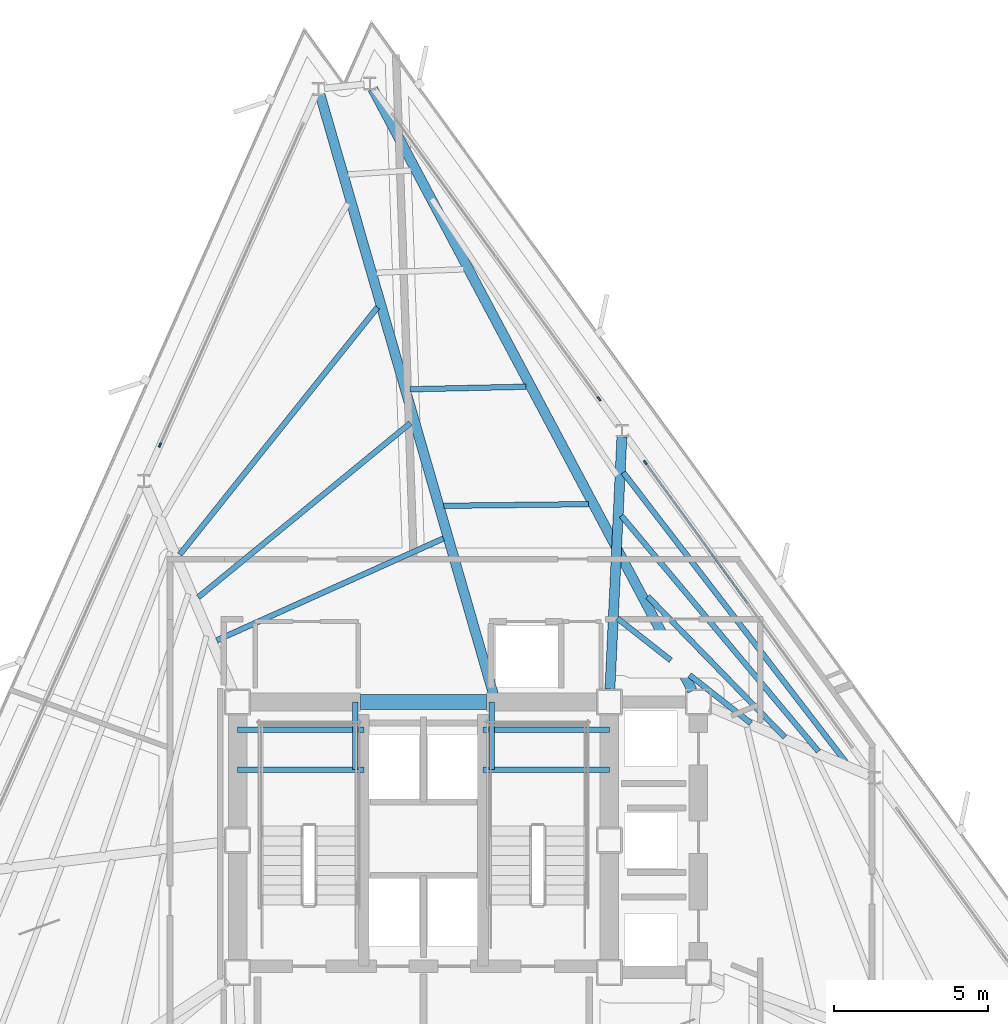
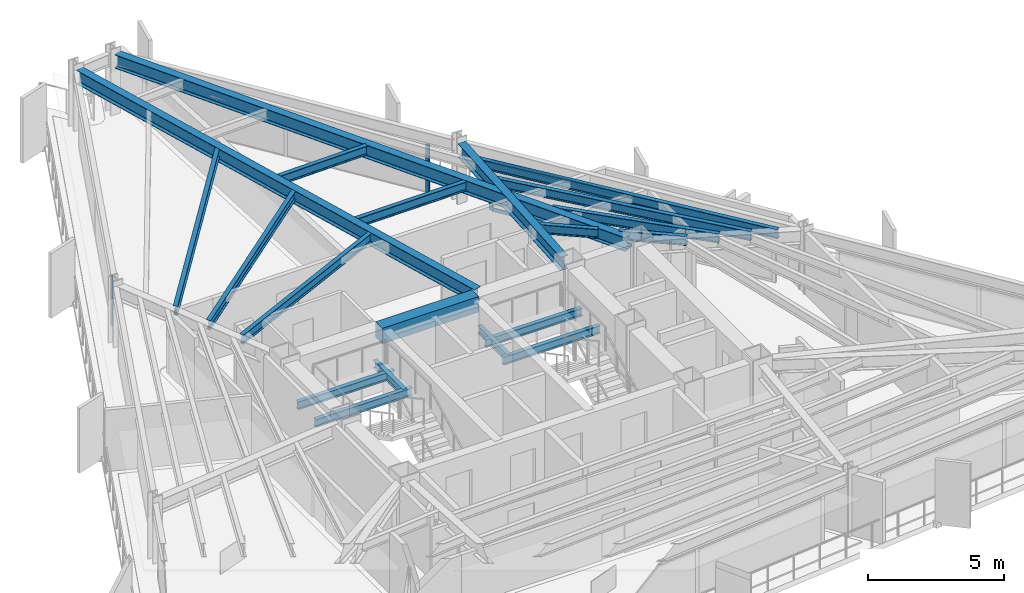
# One storey, part 4 of 13: 20 beams, 5 members, 3 elements without a shape of their own.
"""IFC4 building model written with IfcOpenShell, lengths in metres."""

from ifc_helpers import new_model, si_unit, direction, frame, origin, origin_2d, place, context, subcontext, project, spatial, rectangle, i_section, extrude, material, layer, layer_set, material_profile, profile_set, type_object, element, aggregate, save


model = new_model("IFC4")

# Units and contexts
model_context = context("Model", 3, precision=1e-05, world=origin(), true_north=direction((0.0, 1.0)))
body_context = subcontext(model_context, "Body", "Model", "MODEL_VIEW")
ifc_project = project(units=[si_unit("LENGTHUNIT", "METRE"), si_unit("AREAUNIT", "SQUARE_METRE"), si_unit("VOLUMEUNIT", "CUBIC_METRE"), si_unit("PLANEANGLEUNIT", "RADIAN"), si_unit("MASSUNIT", "GRAM", prefix="KILO")], contexts=[model_context])

# Site, building, storey
site_placement = place(None, origin())
site = spatial("IfcSite", under=ifc_project, at=site_placement, CompositionType="ELEMENT")
building_placement = place(site_placement, origin())
building = spatial("IfcBuilding", under=site, at=building_placement, Name="Rocaltana Carrier Exchange", CompositionType="ELEMENT")
storey_placement = place(building_placement, frame((0.0, 0.0, 119.840087890625)))
storey = spatial("IfcBuildingStorey", under=building, at=storey_placement, Name="L37", CompositionType="ELEMENT", Elevation=119.840087890625)

# Curtain wall, member
ifc_material_1 = material(Name="Aluminium 6063-T6", Category="aluminium")
ifc_layer = layer(ifc_material_1, 0.14990234375)
ifc_layer_set = layer_set([ifc_layer], Name="Aluminium 6063-T6")
curtain_wall_type = type_object("IfcCurtainWallType", Name="Mid-Tower Unitised Curtain Wall CW-03", PredefinedType="NOTDEFINED", material=ifc_layer_set)
curtain_wall_1_placement = place(storey_placement, origin())
curtain_wall_1 = element("IfcCurtainWall", 1, at=curtain_wall_1_placement, inside=storey, type_object=curtain_wall_type, Name="L37 CW-03 Run CW-L37-F1S2", PredefinedType="NOTDEFINED")
ifc_material_2 = material(Name="Aluminium 6063-T6", Category="aluminium")
ifc_material_profile_1 = material_profile(ifc_material_2, rectangle(XDim=0.06005859375, YDim=0.14990234375, at=origin_2d()), Name="AL-60X150")
ifc_profile_set_1 = profile_set([ifc_material_profile_1], Name="Aluminium 6063-T6")
member_type_1 = type_object("IfcMemberType", Name="CW-03 Mullion AL-60X150", PredefinedType="MULLION", material=ifc_profile_set_1)
member_1_placement = place(storey_placement, frame((7.22021484375, 12.29541015625, 0.0), z_axis=(0.0, 0.0, 1.0), x_axis=(-0.809013555195, -0.587789985889, 0.0)))
member_1 = element("IfcMember", 2, at=member_1_placement, type_object=member_type_1, Name="CW-03 mullion 3", PredefinedType="MULLION", context=body_context, shape_type="SweptSolid", body=[
    extrude(rectangle(XDim=0.06005859375, YDim=0.14990234375, at=origin_2d()), origin(), (0.0, 0.0, 1.0), 2.218017578125),
])

curtain_wall_2_placement = place(storey_placement, origin())
curtain_wall_2 = element("IfcCurtainWall", 3, at=curtain_wall_2_placement, inside=storey, type_object=curtain_wall_type, Name="L37 CW-03 Run CW-L37-F1S3", PredefinedType="NOTDEFINED")
member_2_placement = place(storey_placement, frame((5.715576171875, 14.366455078125, 0.0), z_axis=(0.0, 0.0, 1.0), x_axis=(-0.809013555195, -0.587789985889, 0.0)))
member_2 = element("IfcMember", 4, at=member_2_placement, type_object=member_type_1, Name="CW-03 mullion 1", PredefinedType="MULLION", context=body_context, shape_type="SweptSolid", body=[
    extrude(rectangle(XDim=0.06005859375, YDim=0.14990234375, at=origin_2d()), origin(), (0.0, 0.0, 1.0), 2.218017578125),
])
aggregate(curtain_wall_2, [member_2])

curtain_wall_3_placement = place(storey_placement, origin())
curtain_wall_3 = element("IfcCurtainWall", 5, at=curtain_wall_3_placement, inside=storey, type_object=curtain_wall_type, Name="L37 CW-03 Run CW-L37-F2S1", PredefinedType="NOTDEFINED")
member_3_placement = place(storey_placement, frame((-8.577392578125, 12.8642578125, 0.0), z_axis=(0.0, 0.0, 1.0), x_axis=(0.913543791084, -0.406740386206, 0.0)))
member_3 = element("IfcMember", 6, at=member_3_placement, type_object=member_type_1, Name="CW-03 mullion 3", PredefinedType="MULLION", context=body_context, shape_type="SweptSolid", body=[
    extrude(rectangle(XDim=0.06005859375, YDim=0.14990234375, at=origin_2d()), origin(), (0.0, 0.0, 1.0), 2.218017578125),
])
aggregate(curtain_wall_3, [member_3])

# Member
ifc_material_3 = material(Name="Aluminium 6063-T6", Category="aluminium")
ifc_material_profile_2 = material_profile(ifc_material_3, rectangle(XDim=0.06005859375, YDim=0.14990234375, at=origin_2d()), Name="AL-60X150")
ifc_profile_set_2 = profile_set([ifc_material_profile_2], Name="Aluminium 6063-T6")
member_type_2 = type_object("IfcMemberType", Name="CW-03 Transom AL-60X150", PredefinedType="USERDEFINED", material=ifc_profile_set_2)
member_4_placement = place(storey_placement, frame((10.554931640625, 7.70556640625, 0.030029296875), z_axis=(-0.58778321885, 0.809018471753, 0.0), x_axis=(-0.809018471753, -0.58778321885, 0.0)))
member_4 = element("IfcMember", 7, at=member_4_placement, type_object=member_type_2, Name="CW-03 transom 2.1", ObjectType="TRANSOM", PredefinedType="USERDEFINED", context=body_context, shape_type="SweptSolid", body=[
    extrude(rectangle(XDim=0.06005859375, YDim=0.14990234375, at=origin_2d()), origin(), (0.0, 0.0, 1.0), 5.6435546875),
])

member_5_placement = place(storey_placement, frame((10.554931640625, 7.70556640625, 2.18798828125), z_axis=(-0.58778321885, 0.809018471753, 0.0), x_axis=(-0.809018471753, -0.58778321885, 0.0)))
member_5 = element("IfcMember", 8, at=member_5_placement, type_object=member_type_2, Name="CW-03 transom 2.2", ObjectType="TRANSOM", PredefinedType="USERDEFINED", context=body_context, shape_type="SweptSolid", body=[
    extrude(rectangle(XDim=0.06005859375, YDim=0.14990234375, at=origin_2d()), origin(), (0.0, 0.0, 1.0), 5.6435546875),
])

aggregate(curtain_wall_1, [member_1, member_4, member_5])

# Beams
ifc_material_4 = material(Name="Concrete C60/75", Category="concrete")
ifc_material_profile_3 = material_profile(ifc_material_4, rectangle(XDim=0.5, YDim=0.699951171875, at=origin_2d()), Name="RC-BM-500X700")
ifc_profile_set_3 = profile_set([ifc_material_profile_3], Name="Concrete C60/75")
beam_type_1 = type_object("IfcBeamType", Name="Core Coupling Lintel 500x700", PredefinedType="LINTEL", material=ifc_profile_set_3)
beam_1_placement = place(storey_placement, frame((-2.050048828125, 4.5, 2.43798828125), z_axis=(1.0, 0.0, 0.0), x_axis=(0.0, 1.0, 0.0)))
element("IfcBeam", 9, at=beam_1_placement, inside=storey, type_object=beam_type_1, Name="L37 Core Coupling Lintel CL-N", PredefinedType="LINTEL", context=body_context, shape_type="SweptSolid", body=[
    extrude(rectangle(XDim=0.5, YDim=0.699951171875, at=origin_2d()), origin(), (0.0, 0.0, 1.0), 4.10009765625),
])
ifc_material_5 = material(Name="Steel S355", Category="steel")
ifc_material_profile_4 = material_profile(ifc_material_5, i_section(OverallWidth=0.172119140625, OverallDepth=0.35791015625, WebThickness=0.0078125, FlangeThickness=0.01318359375, FilletRadius=0.011962890625, at=origin_2d()), Name="W14X38")
ifc_profile_set_4 = profile_set([ifc_material_profile_4], Name="Steel S355")
beam_type_2 = type_object("IfcBeamType", Name="Floor Joist W14X38", PredefinedType="JOIST", material=ifc_profile_set_4)
for number, where, z_axis, x_axis, name in (
    (10, (-6.050048828125, 2.300048828125, 1.140869140625), (1.0, 0.0, 0.0), (0.0, 1.0, 0.0), "L37 ST-1 Landing Carrier 1"),
    (11, (1.93994140625, 2.300048828125, 1.140869140625), (1.0, 0.0, 0.0), (0.0, 1.0, 0.0), "L37 ST-2 Landing Carrier 1"),
    (12, (-6.050048828125, 3.60009765625, 1.140869140625), (1.0, 0.0, 0.0), (0.0, 1.0, 0.0), "L37 ST-1 Landing Carrier 2"),
    (13, (1.93994140625, 3.60009765625, 1.140869140625), (1.0, 0.0, 0.0), (0.0, 1.0, 0.0), "L37 ST-2 Landing Carrier 2"),
):
    element("IfcBeam", number, at=place(storey_placement, frame(where, z_axis=z_axis, x_axis=x_axis)), inside=storey, type_object=beam_type_2, Name=name, PredefinedType="JOIST", context=body_context, shape_type="SweptSolid", body=[
        extrude(i_section(OverallWidth=0.172119140625, OverallDepth=0.35791015625, WebThickness=0.0078125, FlangeThickness=0.01318359375, FilletRadius=0.011962890625, at=origin_2d()), origin(), (0.0, 0.0, 1.0), 4.110107421875),
    ])
for number, where, z_axis, x_axis, name in (
    (14, (-2.219970703125, 2.300048828125, 1.140869140625), (0.0, 1.0, 0.0), (-1.0, 0.0, 0.0), "L37 ST-1 Landing Cross Trimmer"),
    (15, (2.219970703125, 2.300048828125, 1.140869140625), (0.0, 1.0, 0.0), (-1.0, 0.0, 0.0), "L37 ST-2 Landing Cross Trimmer"),
):
    element("IfcBeam", number, at=place(storey_placement, frame(where, z_axis=z_axis, x_axis=x_axis)), inside=storey, type_object=beam_type_2, Name=name, PredefinedType="JOIST", context=body_context, shape_type="SweptSolid", body=[
        extrude(i_section(OverallWidth=0.172119140625, OverallDepth=0.35791015625, WebThickness=0.0078125, FlangeThickness=0.01318359375, FilletRadius=0.011962890625, at=origin_2d()), origin(), (0.0, 0.0, 1.0), 2.199951171875),
    ])
ifc_material_6 = material(Name="Steel S355", Category="steel")
ifc_material_profile_5 = material_profile(ifc_material_6, i_section(OverallWidth=0.179931640625, OverallDepth=0.4130859375, WebThickness=0.009765625, FlangeThickness=0.01611328125, FilletRadius=0.012939453125, at=origin_2d()), Name="W16X50")
ifc_profile_set_5 = profile_set([ifc_material_profile_5], Name="Steel S355")
beam_type_3 = type_object("IfcBeamType", Name="Floor Joist W16X50", PredefinedType="JOIST", material=ifc_profile_set_5)
beam_2_placement = place(storey_placement, frame((10.66015625, 3.806640625, 2.581298828125), z_axis=(-0.786171683664, 0.618008158365, 0.0), x_axis=(-0.618008158365, -0.786171683664, 0.0)))
element("IfcBeam", 16, at=beam_2_placement, inside=storey, type_object=beam_type_3, Name="FJ-L37-02-1S1", PredefinedType="JOIST", context=body_context, shape_type="SweptSolid", body=[
    extrude(i_section(OverallWidth=0.179931640625, OverallDepth=0.4130859375, WebThickness=0.009765625, FlangeThickness=0.01611328125, FilletRadius=0.012939453125, at=origin_2d()), origin(), (0.0, 0.0, 1.0), 2.5419921875),
])
beam_3_placement = place(storey_placement, frame((8.051025390625, 5.85791015625, 2.581298828125), z_axis=(-0.786142704991, 0.61804502052, 0.0), x_axis=(-0.61804502052, -0.786142704991, 0.0)))
element("IfcBeam", 17, at=beam_3_placement, inside=storey, type_object=beam_type_3, Name="FJ-L37-02-1S2", PredefinedType="JOIST", context=body_context, shape_type="SweptSolid", body=[
    extrude(i_section(OverallWidth=0.179931640625, OverallDepth=0.4130859375, WebThickness=0.009765625, FlangeThickness=0.01611328125, FilletRadius=0.012939453125, at=origin_2d()), origin(), (0.0, 0.0, 1.0), 2.21923828125),
])
beam_4_placement = place(storey_placement, frame((11.76220703125, 3.35302734375, 2.581298828125), z_axis=(-0.697417522087, 0.716665054182, 0.0), x_axis=(-0.716665054182, -0.697417522087, 0.0)))
element("IfcBeam", 18, at=beam_4_placement, inside=storey, type_object=beam_type_3, Name="FJ-L37-02-2", PredefinedType="JOIST", context=body_context, shape_type="SweptSolid", body=[
    extrude(i_section(OverallWidth=0.179931640625, OverallDepth=0.4130859375, WebThickness=0.009765625, FlangeThickness=0.01611328125, FilletRadius=0.012939453125, at=origin_2d()), origin(), (0.0, 0.0, 1.0), 6.392822265625),
])
beam_5_placement = place(storey_placement, frame((12.85888671875, 2.891845703125, 2.581298828125), z_axis=(-0.641626502417, 0.767017230182, 0.0), x_axis=(-0.767017230182, -0.641626502417, 0.0)))
element("IfcBeam", 19, at=beam_5_placement, inside=storey, type_object=beam_type_3, Name="FJ-L37-02-3", PredefinedType="JOIST", context=body_context, shape_type="SweptSolid", body=[
    extrude(i_section(OverallWidth=0.179931640625, OverallDepth=0.4130859375, WebThickness=0.009765625, FlangeThickness=0.01611328125, FilletRadius=0.012939453125, at=origin_2d()), origin(), (0.0, 0.0, 1.0), 10.0),
])
beam_6_placement = place(storey_placement, frame((13.7802734375, 2.5009765625, 2.581298828125), z_axis=(-0.60925224181, 0.792976485054, 0.0), x_axis=(-0.792976485054, -0.60925224181, 0.0)))
element("IfcBeam", 20, at=beam_6_placement, inside=storey, type_object=beam_type_3, Name="FJ-L37-02-4", PredefinedType="JOIST", context=body_context, shape_type="SweptSolid", body=[
    extrude(i_section(OverallWidth=0.179931640625, OverallDepth=0.4130859375, WebThickness=0.009765625, FlangeThickness=0.01611328125, FilletRadius=0.012939453125, at=origin_2d()), origin(), (0.0, 0.0, 1.0), 11.9423828125),
])
beam_7_placement = place(storey_placement, frame((5.372802734375, 10.93994140625, 2.581298828125), z_axis=(-0.999937391673, -0.01118984958, 0.0), x_axis=(0.01118984958, -0.999937391673, 0.0)))
element("IfcBeam", 21, at=beam_7_placement, inside=storey, type_object=beam_type_3, Name="FJ-L37-04-1", PredefinedType="JOIST", context=body_context, shape_type="SweptSolid", body=[
    extrude(i_section(OverallWidth=0.179931640625, OverallDepth=0.4130859375, WebThickness=0.009765625, FlangeThickness=0.01611328125, FilletRadius=0.012939453125, at=origin_2d()), origin(), (0.0, 0.0, 1.0), 4.712646484375),
])
beam_8_placement = place(storey_placement, frame((3.34130859375, 14.762939453125, 2.581298828125), z_axis=(-0.999758539531, -0.02197413559, 0.0), x_axis=(0.02197413559, -0.999758539531, 0.0)))
element("IfcBeam", 22, at=beam_8_placement, inside=storey, type_object=beam_type_3, Name="FJ-L37-04-2", PredefinedType="JOIST", context=body_context, shape_type="SweptSolid", body=[
    extrude(i_section(OverallWidth=0.179931640625, OverallDepth=0.4130859375, WebThickness=0.009765625, FlangeThickness=0.01611328125, FilletRadius=0.012939453125, at=origin_2d()), origin(), (0.0, 0.0, 1.0), 3.777587890625),
])
beam_9_placement = place(storey_placement, frame((0.650390625, 9.82373046875, 2.581298828125), z_axis=(-0.912122924313, -0.409916785388, 0.0), x_axis=(0.409916785388, -0.912122924313, 0.0)))
element("IfcBeam", 23, at=beam_9_placement, inside=storey, type_object=beam_type_3, Name="FJ-L37-05-1", PredefinedType="JOIST", context=body_context, shape_type="SweptSolid", body=[
    extrude(i_section(OverallWidth=0.179931640625, OverallDepth=0.4130859375, WebThickness=0.009765625, FlangeThickness=0.01611328125, FilletRadius=0.012939453125, at=origin_2d()), origin(), (0.0, 0.0, 1.0), 8.09228515625),
])
beam_10_placement = place(storey_placement, frame((-0.423583984375, 13.579833984375, 2.581298828125), z_axis=(-0.772904703417, -0.634522118949, 0.0), x_axis=(0.634522118949, -0.772904703417, 0.0)))
element("IfcBeam", 24, at=beam_10_placement, inside=storey, type_object=beam_type_3, Name="FJ-L37-05-2", PredefinedType="JOIST", context=body_context, shape_type="SweptSolid", body=[
    extrude(i_section(OverallWidth=0.179931640625, OverallDepth=0.4130859375, WebThickness=0.009765625, FlangeThickness=0.01611328125, FilletRadius=0.012939453125, at=origin_2d()), origin(), (0.0, 0.0, 1.0), 8.937744140625),
])
beam_11_placement = place(storey_placement, frame((-1.49609375, 17.348388671875, 2.581298828125), z_axis=(-0.624570833633, -0.78096816438, 0.0), x_axis=(0.78096816438, -0.624570833633, 0.0)))
element("IfcBeam", 25, at=beam_11_placement, inside=storey, type_object=beam_type_3, Name="FJ-L37-05-3", PredefinedType="JOIST", context=body_context, shape_type="SweptSolid", body=[
    extrude(i_section(OverallWidth=0.179931640625, OverallDepth=0.4130859375, WebThickness=0.009765625, FlangeThickness=0.01611328125, FilletRadius=0.012939453125, at=origin_2d()), origin(), (0.0, 0.0, 1.0), 10.307373046875),
])
ifc_material_7 = material(Name="Steel S355", Category="steel")
ifc_material_profile_6 = material_profile(ifc_material_7, i_section(OverallWidth=0.323974609375, OverallDepth=0.611083984375, WebThickness=0.0126953125, FlangeThickness=0.01904296875, FilletRadius=0.01611328125, at=origin_2d()), Name="W24X104")
ifc_profile_set_6 = profile_set([ifc_material_profile_6], Name="Steel S355")
beam_type_4 = type_object("IfcBeamType", Name="Radial Girder W24X104", PredefinedType="BEAM", material=ifc_profile_set_6)
beam_12_placement = place(storey_placement, frame((6.069580078125, 4.91650390625, 2.482421875), z_axis=(0.047262084461, 0.998882523309, 0.0), x_axis=(-0.998882523309, 0.047262084461, 0.0)))
element("IfcBeam", 26, at=beam_12_placement, inside=storey, type_object=beam_type_4, Name="RG-L37-03", PredefinedType="BEAM", context=body_context, shape_type="SweptSolid", body=[
    extrude(i_section(OverallWidth=0.323974609375, OverallDepth=0.611083984375, WebThickness=0.0126953125, FlangeThickness=0.01904296875, FilletRadius=0.01611328125, at=origin_2d()), origin(), (0.0, 0.0, 1.0), 8.22900390625),
])
beam_13_placement = place(storey_placement, frame((8.75439453125, 4.868408203125, 2.482421875), z_axis=(-0.469069652013, 0.883161175302, 0.0), x_axis=(-0.883161175302, -0.469069652013, 0.0)))
element("IfcBeam", 27, at=beam_13_placement, inside=storey, type_object=beam_type_4, Name="RG-L37-04", PredefinedType="BEAM", context=body_context, shape_type="SweptSolid", body=[
    extrude(i_section(OverallWidth=0.323974609375, OverallDepth=0.611083984375, WebThickness=0.0126953125, FlangeThickness=0.01904296875, FilletRadius=0.01611328125, at=origin_2d()), origin(), (0.0, 0.0, 1.0), 22.18115234375),
])
beam_14_placement = place(storey_placement, frame((2.28271484375, 4.732421875, 2.482421875), z_axis=(-0.277663026664, 0.960678532926, 0.0), x_axis=(-0.960678532926, -0.277663026664, 0.0)))
element("IfcBeam", 28, at=beam_14_placement, inside=storey, type_object=beam_type_4, Name="RG-L37-05", PredefinedType="BEAM", context=body_context, shape_type="SweptSolid", body=[
    extrude(i_section(OverallWidth=0.323974609375, OverallDepth=0.611083984375, WebThickness=0.0126953125, FlangeThickness=0.01904296875, FilletRadius=0.01611328125, at=origin_2d()), origin(), (0.0, 0.0, 1.0), 20.333984375),
])

save(model, "model.ifc")
